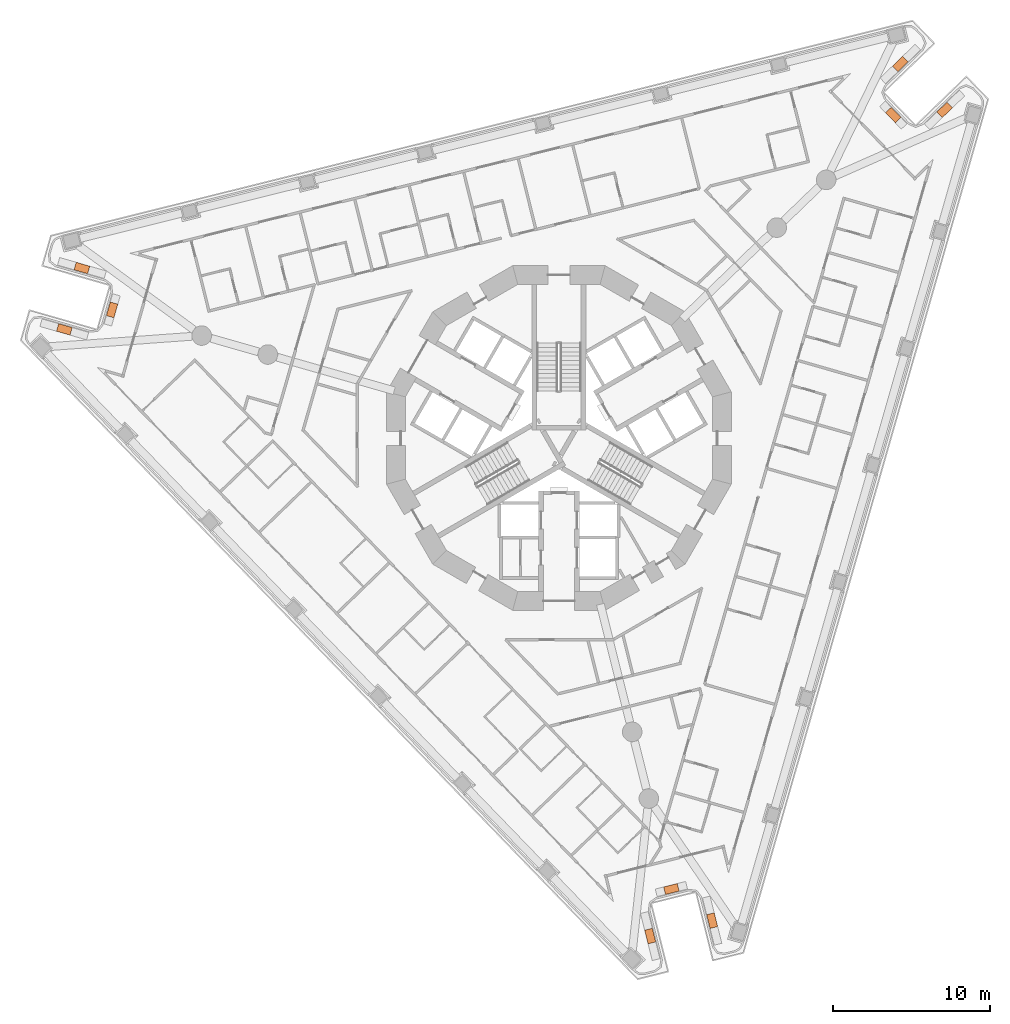
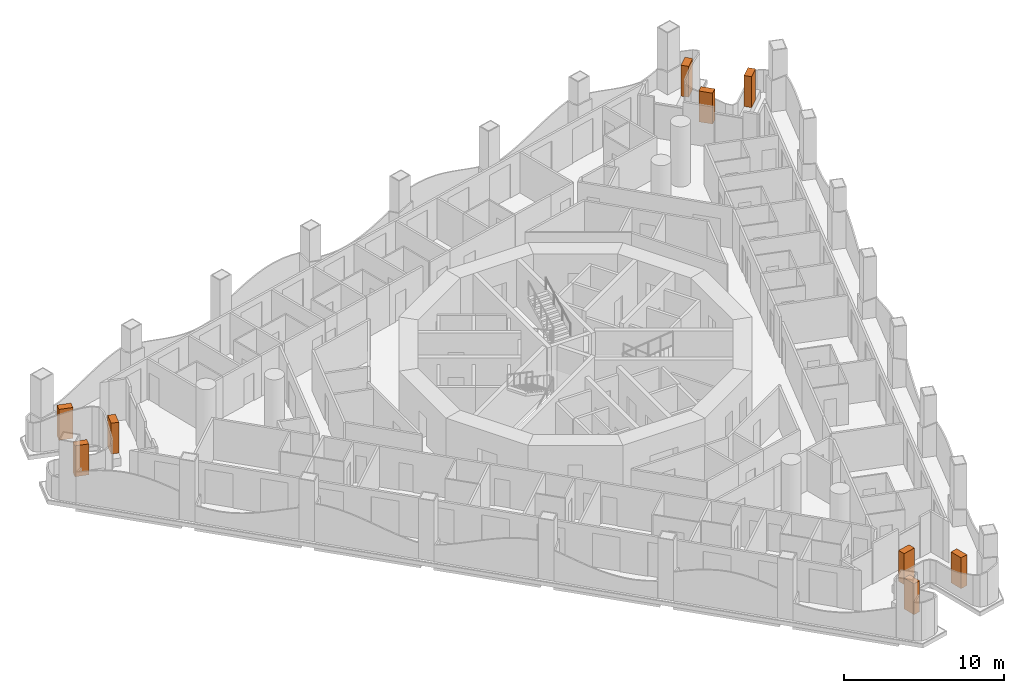
# One storey, part 20 of 20: 9 geographic elements.
"""IFC4 building model written with IfcOpenShell, lengths in metres."""

from ifc_helpers import new_model, si_unit, direction, frame, origin, origin_2d, place, context, subcontext, project, spatial, rectangle, extrude, element, save


model = new_model("IFC4")

# Units and contexts
model_context = context("Model", 3, precision=1e-05, world=origin(), true_north=direction((0.0, 1.0)))
body_context = subcontext(model_context, "Body", "Model", "MODEL_VIEW")
ifc_project = project(units=[si_unit("LENGTHUNIT", "METRE"), si_unit("AREAUNIT", "SQUARE_METRE"), si_unit("VOLUMEUNIT", "CUBIC_METRE"), si_unit("PLANEANGLEUNIT", "RADIAN"), si_unit("MASSUNIT", "GRAM", prefix="KILO")], contexts=[model_context])

# Site, building, storey
site_placement = place(None, origin())
site = spatial("IfcSite", under=ifc_project, at=site_placement, CompositionType="ELEMENT")
building_placement = place(site_placement, origin())
building = spatial("IfcBuilding", under=site, at=building_placement, Name="Trine Commons Tower", CompositionType="ELEMENT")
storey_placement = place(building_placement, frame((0.0, 0.0, 116.10009765625)))
storey = spatial("IfcBuildingStorey", under=building, at=storey_placement, Name="L29", CompositionType="ELEMENT", Elevation=116.10009765625)

# Geographic elements
for number, where, z_axis, x_axis, name in (
    (1, (48.400634765625, 69.438720703125, 0.599853515625), (0.0, 0.0, 1.0), (0.961260733777, -0.275640711252, 0.0), "Tree 1.1"),
    (2, (51.45263671875, 70.685791015625, 0.599853515625), (0.0, 0.0, 1.0), (0.275645744397, 0.961259290512, 0.0), "Tree 2.1"),
    (3, (49.525146484375, 73.360595703125, 0.599853515625), (0.0, 0.0, 1.0), (-0.961262658088, 0.275634000379, 0.0), "Tree 3.1"),
    (4, (101.808837890625, 86.396484375, 0.599853515625), (0.0, 0.0, 1.0), (-0.719332525854, -0.69466590333, 0.0), "Tree 4.1"),
    (5, (101.36279296875, 83.1298828125, 0.599853515625), (0.0, 0.0, 1.0), (0.694658370459, -0.719339800339, 0.0), "Tree 5.1"),
    (6, (104.64306640625, 83.461669921875, 0.599853515625), (0.0, 0.0, 1.0), (0.719362835687, 0.694634515866, 0.0), "Tree 6.1"),
    (7, (89.79052734375, 31.664794921875, 0.599853515625), (0.0, 0.0, 1.0), (-0.241908347692, 0.970299104048, 0.0), "Tree 7.1"),
    (8, (87.1845703125, 33.684326171875, 0.599853515625), (0.0, 0.0, 1.0), (-0.970297415186, -0.241915121652, 0.0), "Tree 8.1"),
    (9, (85.831787109375, 30.677734375, 0.599853515625), (0.0, 0.0, 1.0), (0.241908347692, -0.970299104048, 0.0), "Tree 9.1"),
):
    element("IfcGeographicElement", number, at=place(storey_placement, frame(where, z_axis=z_axis, x_axis=x_axis)), inside=storey, Name=name, ObjectType="TREE Tabebuia rosea", PredefinedType="USERDEFINED", context=body_context, shape_type="SweptSolid", body=[
        extrude(rectangle(XDim=0.89990234375, YDim=0.5, at=origin_2d()), origin(), (0.0, 0.0, 1.0), 2.35009765625),
    ])

save(model, "model.ifc")
